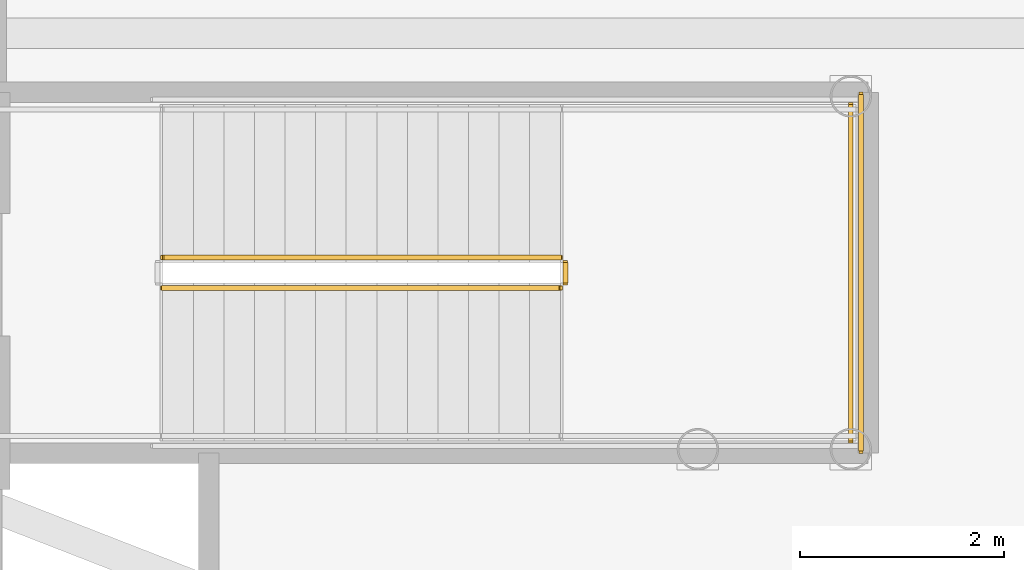
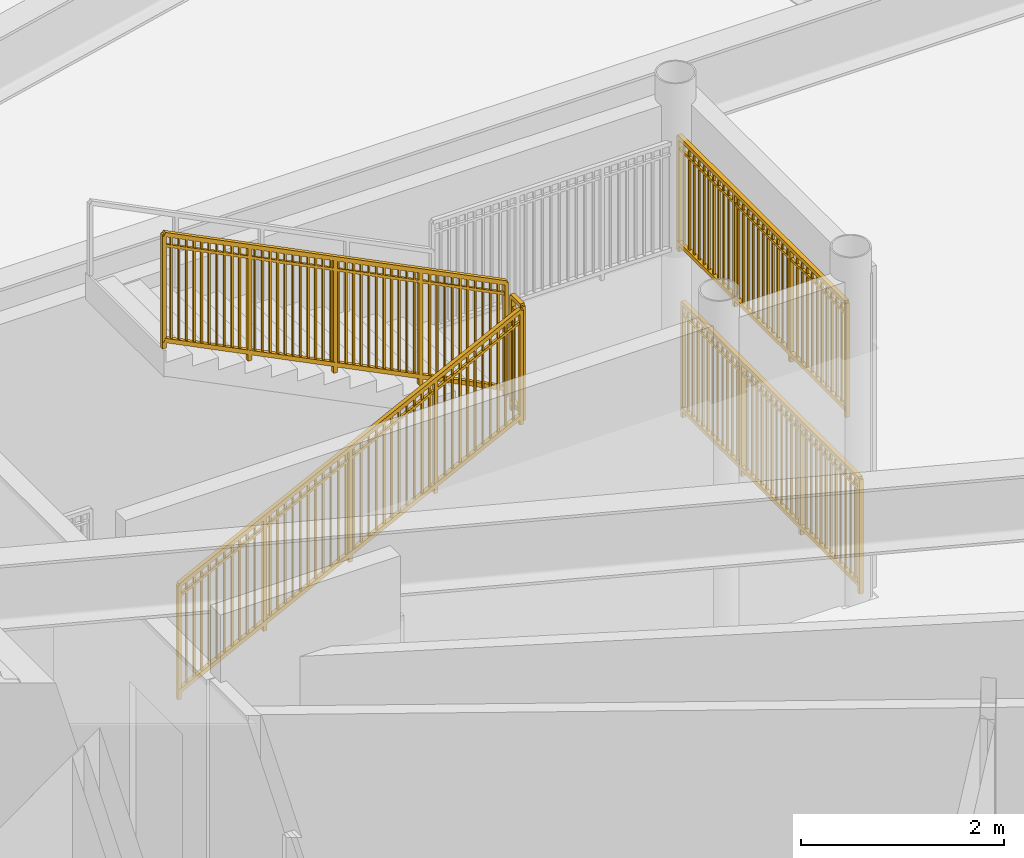
# One storey, part 26 of 27: 5 railings.
"""IFC4 building model written with IfcOpenShell, lengths in metres."""

from ifc_helpers import new_model, si_unit, direction, frame, origin, origin_2d, place, context, subcontext, project, spatial, rectangle, extrude, source, transform, mapped, material, type_object, element, save


model = new_model("IFC4")

# Units and contexts
model_context = context("Model", 3, precision=1e-05, world=origin(), true_north=direction((0.0, 1.0)))
body_context = subcontext(model_context, "Body", "Model", "MODEL_VIEW")
ifc_project = project(units=[si_unit("LENGTHUNIT", "METRE"), si_unit("AREAUNIT", "SQUARE_METRE"), si_unit("VOLUMEUNIT", "CUBIC_METRE"), si_unit("PLANEANGLEUNIT", "RADIAN"), si_unit("MASSUNIT", "GRAM", prefix="KILO")], contexts=[model_context])

# Site, building, storey
site_placement = place(None, origin())
site = spatial("IfcSite", under=ifc_project, at=site_placement, CompositionType="ELEMENT")
building_placement = place(site_placement, origin())
building = spatial("IfcBuilding", under=site, at=building_placement, Name="Linh Dai School and Residence Tower", CompositionType="ELEMENT")
storey_placement = place(building_placement, frame((0.0, 0.0, 14.39990234375)))
storey = spatial("IfcBuildingStorey", under=building, at=storey_placement, Name="L03", CompositionType="ELEMENT", Elevation=14.39990234375)

# Railings
ifc_material = material(Name="Structural Steel S355JR", Category="steel")
railing_type = type_object("IfcRailingType", Name="RL-ST-GUARD-1400", PredefinedType="GUARDRAIL", material=ifc_material)
shared_shape_1 = source(origin(), body_context, "Body", "SweptSolid", [
    extrude(rectangle(XDim=0.048095703125, YDim=0.048095703125, at=origin_2d()), frame((0.0, 0.0, 1.3759765625), z_axis=(-0.894404793364, 0.0, 0.447258387967), x_axis=(0.0, -1.0, 0.0)), (0.0, 0.0, 1.0), 4.3603515625),
    extrude(rectangle(XDim=0.048095703125, YDim=0.048095703125, at=origin_2d()), frame((0.0, 0.0, 0.10009765625), z_axis=(-0.894404793364, 0.0, 0.447258387967), x_axis=(0.0, -1.0, 0.0)), (0.0, 0.0, 1.0), 4.3603515625),
    extrude(rectangle(XDim=0.030029296875, YDim=0.030029296875, at=origin_2d()), frame((0.0, 0.0, 1.239990234375), z_axis=(-0.894404793364, 0.0, 0.447258387967), x_axis=(0.0, -1.0, 0.0)), (0.0, 0.0, 1.0), 4.3603515625),
    extrude(rectangle(XDim=0.02001953125, YDim=0.02001953125, at=origin_2d()), frame((-0.086669921875, 0.0, 0.1435546875)), (0.0, 0.0, 1.0), 1.251708984375),
    extrude(rectangle(XDim=0.02001953125, YDim=0.02001953125, at=origin_2d()), frame((-0.17333984375, 0.0, 0.186767578125)), (0.0, 0.0, 1.0), 1.251708984375),
    extrude(rectangle(XDim=0.02001953125, YDim=0.02001953125, at=origin_2d()), frame((-0.260009765625, 0.0, 0.230224609375)), (0.0, 0.0, 1.0), 1.251708984375),
    extrude(rectangle(XDim=0.02001953125, YDim=0.02001953125, at=origin_2d()), frame((-0.3466796875, 0.0, 0.2734375)), (0.0, 0.0, 1.0), 1.251708984375),
    extrude(rectangle(XDim=0.02001953125, YDim=0.02001953125, at=origin_2d()), frame((-0.433349609375, 0.0, 0.31689453125)), (0.0, 0.0, 1.0), 1.251708984375),
    extrude(rectangle(XDim=0.02001953125, YDim=0.02001953125, at=origin_2d()), frame((-0.52001953125, 0.0, 0.360107421875)), (0.0, 0.0, 1.0), 1.251708984375),
    extrude(rectangle(XDim=0.02001953125, YDim=0.02001953125, at=origin_2d()), frame((-0.606689453125, 0.0, 0.403564453125)), (0.0, 0.0, 1.0), 1.251708984375),
    extrude(rectangle(XDim=0.02001953125, YDim=0.02001953125, at=origin_2d()), frame((-0.693359375, 0.0, 0.44677734375)), (0.0, 0.0, 1.0), 1.251708984375),
    extrude(rectangle(XDim=0.02001953125, YDim=0.02001953125, at=origin_2d()), frame((-0.780029296875, 0.0, 0.490234375)), (0.0, 0.0, 1.0), 1.251708984375),
    extrude(rectangle(XDim=0.02001953125, YDim=0.02001953125, at=origin_2d()), frame((-0.86669921875, 0.0, 0.533447265625)), (0.0, 0.0, 1.0), 1.251708984375),
    extrude(rectangle(XDim=0.02001953125, YDim=0.02001953125, at=origin_2d()), frame((-1.0400390625, 0.0, 0.6201171875)), (0.0, 0.0, 1.0), 1.251708984375),
    extrude(rectangle(XDim=0.02001953125, YDim=0.02001953125, at=origin_2d()), frame((-1.126708984375, 0.0, 0.66357421875)), (0.0, 0.0, 1.0), 1.251708984375),
    extrude(rectangle(XDim=0.02001953125, YDim=0.02001953125, at=origin_2d()), frame((-1.21337890625, 0.0, 0.706787109375)), (0.0, 0.0, 1.0), 1.251708984375),
    extrude(rectangle(XDim=0.02001953125, YDim=0.02001953125, at=origin_2d()), frame((-1.300048828125, 0.0, 0.750244140625)), (0.0, 0.0, 1.0), 1.251708984375),
    extrude(rectangle(XDim=0.02001953125, YDim=0.02001953125, at=origin_2d()), frame((-1.38671875, 0.0, 0.79345703125)), (0.0, 0.0, 1.0), 1.251708984375),
    extrude(rectangle(XDim=0.02001953125, YDim=0.02001953125, at=origin_2d()), frame((-1.473388671875, 0.0, 0.8369140625)), (0.0, 0.0, 1.0), 1.251708984375),
    extrude(rectangle(XDim=0.02001953125, YDim=0.02001953125, at=origin_2d()), frame((-1.56005859375, 0.0, 0.880126953125)), (0.0, 0.0, 1.0), 1.251708984375),
    extrude(rectangle(XDim=0.02001953125, YDim=0.02001953125, at=origin_2d()), frame((-1.646728515625, 0.0, 0.923583984375)), (0.0, 0.0, 1.0), 1.251708984375),
    extrude(rectangle(XDim=0.02001953125, YDim=0.02001953125, at=origin_2d()), frame((-1.7333984375, 0.0, 0.966796875)), (0.0, 0.0, 1.0), 1.251708984375),
    extrude(rectangle(XDim=0.02001953125, YDim=0.02001953125, at=origin_2d()), frame((-1.820068359375, 0.0, 1.01025390625)), (0.0, 0.0, 1.0), 1.251708984375),
    extrude(rectangle(XDim=0.02001953125, YDim=0.02001953125, at=origin_2d()), frame((-1.90673828125, 0.0, 1.053466796875)), (0.0, 0.0, 1.0), 1.251708984375),
    extrude(rectangle(XDim=0.02001953125, YDim=0.02001953125, at=origin_2d()), frame((-1.9931640625, 0.0, 1.096923828125)), (0.0, 0.0, 1.0), 1.251708984375),
    extrude(rectangle(XDim=0.02001953125, YDim=0.02001953125, at=origin_2d()), frame((-2.079833984375, 0.0, 1.14013671875)), (0.0, 0.0, 1.0), 1.251708984375),
    extrude(rectangle(XDim=0.02001953125, YDim=0.02001953125, at=origin_2d()), frame((-2.16650390625, 0.0, 1.18359375)), (0.0, 0.0, 1.0), 1.251708984375),
    extrude(rectangle(XDim=0.02001953125, YDim=0.02001953125, at=origin_2d()), frame((-2.253173828125, 0.0, 1.226806640625)), (0.0, 0.0, 1.0), 1.251708984375),
    extrude(rectangle(XDim=0.02001953125, YDim=0.02001953125, at=origin_2d()), frame((-2.33984375, 0.0, 1.270263671875)), (0.0, 0.0, 1.0), 1.251708984375),
    extrude(rectangle(XDim=0.02001953125, YDim=0.02001953125, at=origin_2d()), frame((-2.426513671875, 0.0, 1.3134765625)), (0.0, 0.0, 1.0), 1.251708984375),
    extrude(rectangle(XDim=0.02001953125, YDim=0.02001953125, at=origin_2d()), frame((-2.51318359375, 0.0, 1.35693359375)), (0.0, 0.0, 1.0), 1.251708984375),
    extrude(rectangle(XDim=0.02001953125, YDim=0.02001953125, at=origin_2d()), frame((-2.599853515625, 0.0, 1.400146484375)), (0.0, 0.0, 1.0), 1.251708984375),
    extrude(rectangle(XDim=0.02001953125, YDim=0.02001953125, at=origin_2d()), frame((-2.6865234375, 0.0, 1.443603515625)), (0.0, 0.0, 1.0), 1.251708984375),
    extrude(rectangle(XDim=0.02001953125, YDim=0.02001953125, at=origin_2d()), frame((-2.773193359375, 0.0, 1.48681640625)), (0.0, 0.0, 1.0), 1.251708984375),
    extrude(rectangle(XDim=0.02001953125, YDim=0.02001953125, at=origin_2d()), frame((-2.85986328125, 0.0, 1.5302734375)), (0.0, 0.0, 1.0), 1.251708984375),
    extrude(rectangle(XDim=0.02001953125, YDim=0.02001953125, at=origin_2d()), frame((-3.033203125, 0.0, 1.616943359375)), (0.0, 0.0, 1.0), 1.251708984375),
    extrude(rectangle(XDim=0.02001953125, YDim=0.02001953125, at=origin_2d()), frame((-3.119873046875, 0.0, 1.66015625)), (0.0, 0.0, 1.0), 1.251708984375),
    extrude(rectangle(XDim=0.02001953125, YDim=0.02001953125, at=origin_2d()), frame((-3.20654296875, 0.0, 1.70361328125)), (0.0, 0.0, 1.0), 1.251708984375),
    extrude(rectangle(XDim=0.02001953125, YDim=0.02001953125, at=origin_2d()), frame((-3.293212890625, 0.0, 1.746826171875)), (0.0, 0.0, 1.0), 1.251708984375),
    extrude(rectangle(XDim=0.02001953125, YDim=0.02001953125, at=origin_2d()), frame((-3.3798828125, 0.0, 1.790283203125)), (0.0, 0.0, 1.0), 1.251708984375),
    extrude(rectangle(XDim=0.02001953125, YDim=0.02001953125, at=origin_2d()), frame((-3.466552734375, 0.0, 1.83349609375)), (0.0, 0.0, 1.0), 1.251708984375),
    extrude(rectangle(XDim=0.02001953125, YDim=0.02001953125, at=origin_2d()), frame((-3.55322265625, 0.0, 1.876953125)), (0.0, 0.0, 1.0), 1.251708984375),
    extrude(rectangle(XDim=0.02001953125, YDim=0.02001953125, at=origin_2d()), frame((-3.639892578125, 0.0, 1.920166015625)), (0.0, 0.0, 1.0), 1.251708984375),
    extrude(rectangle(XDim=0.02001953125, YDim=0.02001953125, at=origin_2d()), frame((-3.7265625, 0.0, 1.963623046875)), (0.0, 0.0, 1.0), 1.251708984375),
    extrude(rectangle(XDim=0.02001953125, YDim=0.02001953125, at=origin_2d()), frame((-3.813232421875, 0.0, 2.0068359375)), (0.0, 0.0, 1.0), 1.251708984375),
    extrude(rectangle(XDim=0.0419921875, YDim=0.0419921875, at=origin_2d()), origin(), (0.0, 0.0, 1.0), 1.3759765625),
    extrude(rectangle(XDim=0.0419921875, YDim=0.0419921875, at=origin_2d()), frame((-0.97509765625, 0.0, 0.487548828125)), (0.0, 0.0, 1.0), 1.3759765625),
    extrude(rectangle(XDim=0.0419921875, YDim=0.0419921875, at=origin_2d()), frame((-1.949951171875, 0.0, 0.97509765625)), (0.0, 0.0, 1.0), 1.3759765625),
    extrude(rectangle(XDim=0.0419921875, YDim=0.0419921875, at=origin_2d()), frame((-2.9248046875, 0.0, 1.462646484375)), (0.0, 0.0, 1.0), 1.3759765625),
    extrude(rectangle(XDim=0.0419921875, YDim=0.0419921875, at=origin_2d()), frame((-3.89990234375, 0.0, 1.9501953125)), (0.0, 0.0, 1.0), 1.3759765625),
])
railing_1_placement = place(storey_placement, frame((53.5, 24.800048828125, 2.25)))
element("IfcRailing", 1, at=railing_1_placement, inside=storey, type_object=railing_type, Name="L03 STS2 stair guard 6", PredefinedType="GUARDRAIL", context=body_context, shape_type="MappedRepresentation", body=[
    mapped(shared_shape_1, transform((0.0, 0.0, 0.0), x_axis=(1.0, 0.0, 0.0), y_axis=(0.0, 1.0, 0.0), z_axis=(0.0, 0.0, 1.0), scale=1.0)),
])
shared_shape_2 = source(origin(), body_context, "Body", "SweptSolid", [
    extrude(rectangle(XDim=0.048095703125, YDim=0.048095703125, at=origin_2d()), frame((0.0, 0.0, 1.3759765625), z_axis=(0.894427191, 0.0, 0.4472135955), x_axis=(0.0, 1.0, 0.0)), (0.0, 0.0, 1.0), 4.360107421875),
    extrude(rectangle(XDim=0.048095703125, YDim=0.048095703125, at=origin_2d()), frame((0.0, 0.0, 0.10009765625), z_axis=(0.894427191, 0.0, 0.4472135955), x_axis=(0.0, 1.0, 0.0)), (0.0, 0.0, 1.0), 4.360107421875),
    extrude(rectangle(XDim=0.030029296875, YDim=0.030029296875, at=origin_2d()), frame((0.0, 0.0, 1.239990234375), z_axis=(0.894427191, 0.0, 0.4472135955), x_axis=(0.0, 1.0, 0.0)), (0.0, 0.0, 1.0), 4.360107421875),
    extrude(rectangle(XDim=0.02001953125, YDim=0.02001953125, at=origin_2d()), frame((0.086669921875, 0.0, 0.143310546875)), (0.0, 0.0, 1.0), 1.251708984375),
    extrude(rectangle(XDim=0.02001953125, YDim=0.02001953125, at=origin_2d()), frame((0.17333984375, 0.0, 0.186767578125)), (0.0, 0.0, 1.0), 1.251708984375),
    extrude(rectangle(XDim=0.02001953125, YDim=0.02001953125, at=origin_2d()), frame((0.260009765625, 0.0, 0.22998046875)), (0.0, 0.0, 1.0), 1.251708984375),
    extrude(rectangle(XDim=0.02001953125, YDim=0.02001953125, at=origin_2d()), frame((0.3466796875, 0.0, 0.2734375)), (0.0, 0.0, 1.0), 1.251708984375),
    extrude(rectangle(XDim=0.02001953125, YDim=0.02001953125, at=origin_2d()), frame((0.433349609375, 0.0, 0.316650390625)), (0.0, 0.0, 1.0), 1.251708984375),
    extrude(rectangle(XDim=0.02001953125, YDim=0.02001953125, at=origin_2d()), frame((0.52001953125, 0.0, 0.360107421875)), (0.0, 0.0, 1.0), 1.251708984375),
    extrude(rectangle(XDim=0.02001953125, YDim=0.02001953125, at=origin_2d()), frame((0.606689453125, 0.0, 0.4033203125)), (0.0, 0.0, 1.0), 1.251708984375),
    extrude(rectangle(XDim=0.02001953125, YDim=0.02001953125, at=origin_2d()), frame((0.693359375, 0.0, 0.44677734375)), (0.0, 0.0, 1.0), 1.251708984375),
    extrude(rectangle(XDim=0.02001953125, YDim=0.02001953125, at=origin_2d()), frame((0.780029296875, 0.0, 0.489990234375)), (0.0, 0.0, 1.0), 1.251708984375),
    extrude(rectangle(XDim=0.02001953125, YDim=0.02001953125, at=origin_2d()), frame((0.86669921875, 0.0, 0.533447265625)), (0.0, 0.0, 1.0), 1.251708984375),
    extrude(rectangle(XDim=0.02001953125, YDim=0.02001953125, at=origin_2d()), frame((1.0400390625, 0.0, 0.6201171875)), (0.0, 0.0, 1.0), 1.251708984375),
    extrude(rectangle(XDim=0.02001953125, YDim=0.02001953125, at=origin_2d()), frame((1.126708984375, 0.0, 0.663330078125)), (0.0, 0.0, 1.0), 1.251708984375),
    extrude(rectangle(XDim=0.02001953125, YDim=0.02001953125, at=origin_2d()), frame((1.21337890625, 0.0, 0.706787109375)), (0.0, 0.0, 1.0), 1.251708984375),
    extrude(rectangle(XDim=0.02001953125, YDim=0.02001953125, at=origin_2d()), frame((1.300048828125, 0.0, 0.75)), (0.0, 0.0, 1.0), 1.251708984375),
    extrude(rectangle(XDim=0.02001953125, YDim=0.02001953125, at=origin_2d()), frame((1.38671875, 0.0, 0.79345703125)), (0.0, 0.0, 1.0), 1.251708984375),
    extrude(rectangle(XDim=0.02001953125, YDim=0.02001953125, at=origin_2d()), frame((1.473388671875, 0.0, 0.836669921875)), (0.0, 0.0, 1.0), 1.251708984375),
    extrude(rectangle(XDim=0.02001953125, YDim=0.02001953125, at=origin_2d()), frame((1.56005859375, 0.0, 0.880126953125)), (0.0, 0.0, 1.0), 1.251708984375),
    extrude(rectangle(XDim=0.02001953125, YDim=0.02001953125, at=origin_2d()), frame((1.646728515625, 0.0, 0.92333984375)), (0.0, 0.0, 1.0), 1.251708984375),
    extrude(rectangle(XDim=0.02001953125, YDim=0.02001953125, at=origin_2d()), frame((1.7333984375, 0.0, 0.966796875)), (0.0, 0.0, 1.0), 1.251708984375),
    extrude(rectangle(XDim=0.02001953125, YDim=0.02001953125, at=origin_2d()), frame((1.820068359375, 0.0, 1.010009765625)), (0.0, 0.0, 1.0), 1.251708984375),
    extrude(rectangle(XDim=0.02001953125, YDim=0.02001953125, at=origin_2d()), frame((1.90673828125, 0.0, 1.053466796875)), (0.0, 0.0, 1.0), 1.251708984375),
    extrude(rectangle(XDim=0.02001953125, YDim=0.02001953125, at=origin_2d()), frame((1.9931640625, 0.0, 1.0966796875)), (0.0, 0.0, 1.0), 1.251708984375),
    extrude(rectangle(XDim=0.02001953125, YDim=0.02001953125, at=origin_2d()), frame((2.079833984375, 0.0, 1.14013671875)), (0.0, 0.0, 1.0), 1.251708984375),
    extrude(rectangle(XDim=0.02001953125, YDim=0.02001953125, at=origin_2d()), frame((2.16650390625, 0.0, 1.183349609375)), (0.0, 0.0, 1.0), 1.251708984375),
    extrude(rectangle(XDim=0.02001953125, YDim=0.02001953125, at=origin_2d()), frame((2.253173828125, 0.0, 1.226806640625)), (0.0, 0.0, 1.0), 1.251708984375),
    extrude(rectangle(XDim=0.02001953125, YDim=0.02001953125, at=origin_2d()), frame((2.33984375, 0.0, 1.27001953125)), (0.0, 0.0, 1.0), 1.251708984375),
    extrude(rectangle(XDim=0.02001953125, YDim=0.02001953125, at=origin_2d()), frame((2.426513671875, 0.0, 1.3134765625)), (0.0, 0.0, 1.0), 1.251708984375),
    extrude(rectangle(XDim=0.02001953125, YDim=0.02001953125, at=origin_2d()), frame((2.51318359375, 0.0, 1.356689453125)), (0.0, 0.0, 1.0), 1.251708984375),
    extrude(rectangle(XDim=0.02001953125, YDim=0.02001953125, at=origin_2d()), frame((2.599853515625, 0.0, 1.400146484375)), (0.0, 0.0, 1.0), 1.251708984375),
    extrude(rectangle(XDim=0.02001953125, YDim=0.02001953125, at=origin_2d()), frame((2.6865234375, 0.0, 1.443359375)), (0.0, 0.0, 1.0), 1.251708984375),
    extrude(rectangle(XDim=0.02001953125, YDim=0.02001953125, at=origin_2d()), frame((2.773193359375, 0.0, 1.48681640625)), (0.0, 0.0, 1.0), 1.251708984375),
    extrude(rectangle(XDim=0.02001953125, YDim=0.02001953125, at=origin_2d()), frame((2.85986328125, 0.0, 1.530029296875)), (0.0, 0.0, 1.0), 1.251708984375),
    extrude(rectangle(XDim=0.02001953125, YDim=0.02001953125, at=origin_2d()), frame((3.033203125, 0.0, 1.61669921875)), (0.0, 0.0, 1.0), 1.251708984375),
    extrude(rectangle(XDim=0.02001953125, YDim=0.02001953125, at=origin_2d()), frame((3.119873046875, 0.0, 1.66015625)), (0.0, 0.0, 1.0), 1.251708984375),
    extrude(rectangle(XDim=0.02001953125, YDim=0.02001953125, at=origin_2d()), frame((3.20654296875, 0.0, 1.703369140625)), (0.0, 0.0, 1.0), 1.251708984375),
    extrude(rectangle(XDim=0.02001953125, YDim=0.02001953125, at=origin_2d()), frame((3.293212890625, 0.0, 1.746826171875)), (0.0, 0.0, 1.0), 1.251708984375),
    extrude(rectangle(XDim=0.02001953125, YDim=0.02001953125, at=origin_2d()), frame((3.3798828125, 0.0, 1.7900390625)), (0.0, 0.0, 1.0), 1.251708984375),
    extrude(rectangle(XDim=0.02001953125, YDim=0.02001953125, at=origin_2d()), frame((3.466552734375, 0.0, 1.83349609375)), (0.0, 0.0, 1.0), 1.251708984375),
    extrude(rectangle(XDim=0.02001953125, YDim=0.02001953125, at=origin_2d()), frame((3.55322265625, 0.0, 1.876708984375)), (0.0, 0.0, 1.0), 1.251708984375),
    extrude(rectangle(XDim=0.02001953125, YDim=0.02001953125, at=origin_2d()), frame((3.639892578125, 0.0, 1.920166015625)), (0.0, 0.0, 1.0), 1.251708984375),
    extrude(rectangle(XDim=0.02001953125, YDim=0.02001953125, at=origin_2d()), frame((3.7265625, 0.0, 1.96337890625)), (0.0, 0.0, 1.0), 1.251708984375),
    extrude(rectangle(XDim=0.02001953125, YDim=0.02001953125, at=origin_2d()), frame((3.813232421875, 0.0, 2.0068359375)), (0.0, 0.0, 1.0), 1.251708984375),
    extrude(rectangle(XDim=0.0419921875, YDim=0.0419921875, at=origin_2d()), origin(), (0.0, 0.0, 1.0), 1.3759765625),
    extrude(rectangle(XDim=0.0419921875, YDim=0.0419921875, at=origin_2d()), frame((0.97509765625, 0.0, 0.487548828125)), (0.0, 0.0, 1.0), 1.3759765625),
    extrude(rectangle(XDim=0.0419921875, YDim=0.0419921875, at=origin_2d()), frame((1.949951171875, 0.0, 0.97509765625)), (0.0, 0.0, 1.0), 1.3759765625),
    extrude(rectangle(XDim=0.0419921875, YDim=0.0419921875, at=origin_2d()), frame((2.9248046875, 0.0, 1.46240234375)), (0.0, 0.0, 1.0), 1.3759765625),
    extrude(rectangle(XDim=0.0419921875, YDim=0.0419921875, at=origin_2d()), frame((3.89990234375, 0.0, 1.949951171875)), (0.0, 0.0, 1.0), 1.3759765625),
])
railing_2_placement = place(storey_placement, frame((49.60009765625, 24.5, 0.150146484375)))
element("IfcRailing", 2, at=railing_2_placement, inside=storey, type_object=railing_type, Name="L03 STS2 stair guard 1", PredefinedType="GUARDRAIL", context=body_context, shape_type="MappedRepresentation", body=[
    mapped(shared_shape_2, transform((0.0, 0.0, 0.0), x_axis=(1.0, 0.0, 0.0), y_axis=(0.0, 1.0, 0.0), z_axis=(0.0, 0.0, 1.0), scale=1.0)),
])
shared_shape_3 = source(origin(), body_context, "Body", "SweptSolid", [
    extrude(rectangle(XDim=0.048095703125, YDim=0.048095703125, at=origin_2d()), frame((0.0, 0.0, 1.3759765625), z_axis=(0.0, 1.0, 0.0), x_axis=(-1.0, 0.0, 0.0)), (0.0, 0.0, 1.0), 0.199951171875),
    extrude(rectangle(XDim=0.048095703125, YDim=0.048095703125, at=origin_2d()), frame((0.0, 0.0, 0.10009765625), z_axis=(0.0, 1.0, 0.0), x_axis=(-1.0, 0.0, 0.0)), (0.0, 0.0, 1.0), 0.199951171875),
    extrude(rectangle(XDim=0.030029296875, YDim=0.030029296875, at=origin_2d()), frame((0.0, 0.0, 1.239990234375), z_axis=(0.0, 1.0, 0.0), x_axis=(-1.0, 0.0, 0.0)), (0.0, 0.0, 1.0), 0.199951171875),
    extrude(rectangle(XDim=0.0419921875, YDim=0.0419921875, at=origin_2d()), origin(), (0.0, 0.0, 1.0), 1.3759765625),
    extrude(rectangle(XDim=0.0419921875, YDim=0.0419921875, at=origin_2d()), frame((0.0, 0.199951171875, 0.0)), (0.0, 0.0, 1.0), 1.3759765625),
])
railing_3_placement = place(storey_placement, frame((53.550048828125, 24.550048828125, 2.10009765625)))
element("IfcRailing", 3, at=railing_3_placement, inside=storey, type_object=railing_type, Name="L03 STS2 stair guard 2", PredefinedType="GUARDRAIL", context=body_context, shape_type="MappedRepresentation", body=[
    mapped(shared_shape_3, transform((0.0, 0.0, 0.0), x_axis=(1.0, 0.0, 0.0), y_axis=(0.0, 1.0, 0.0), z_axis=(0.0, 0.0, 1.0), scale=1.0)),
])
shared_shape_4 = source(origin(), body_context, "Body", "SweptSolid", [
    extrude(rectangle(XDim=0.048095703125, YDim=0.048095703125, at=origin_2d()), frame((0.0, 0.0, 1.3759765625), z_axis=(0.0, 1.0, 0.0), x_axis=(-1.0, 0.0, 0.0)), (0.0, 0.0, 1.0), 3.300048828125),
    extrude(rectangle(XDim=0.048095703125, YDim=0.048095703125, at=origin_2d()), frame((0.0, 0.0, 0.10009765625), z_axis=(0.0, 1.0, 0.0), x_axis=(-1.0, 0.0, 0.0)), (0.0, 0.0, 1.0), 3.300048828125),
    extrude(rectangle(XDim=0.030029296875, YDim=0.030029296875, at=origin_2d()), frame((0.0, 0.0, 1.239990234375), z_axis=(0.0, 1.0, 0.0), x_axis=(-1.0, 0.0, 0.0)), (0.0, 0.0, 1.0), 3.300048828125),
    extrude(rectangle(XDim=0.02001953125, YDim=0.02001953125, at=origin_2d()), frame((0.0, 0.09716796875, 0.10009765625)), (0.0, 0.0, 1.0), 1.251708984375),
    extrude(rectangle(XDim=0.02001953125, YDim=0.02001953125, at=origin_2d()), frame((0.0, 0.194091796875, 0.10009765625)), (0.0, 0.0, 1.0), 1.251708984375),
    extrude(rectangle(XDim=0.02001953125, YDim=0.02001953125, at=origin_2d()), frame((0.0, 0.291259765625, 0.10009765625)), (0.0, 0.0, 1.0), 1.251708984375),
    extrude(rectangle(XDim=0.02001953125, YDim=0.02001953125, at=origin_2d()), frame((0.0, 0.38818359375, 0.10009765625)), (0.0, 0.0, 1.0), 1.251708984375),
    extrude(rectangle(XDim=0.02001953125, YDim=0.02001953125, at=origin_2d()), frame((0.0, 0.4853515625, 0.10009765625)), (0.0, 0.0, 1.0), 1.251708984375),
    extrude(rectangle(XDim=0.02001953125, YDim=0.02001953125, at=origin_2d()), frame((0.0, 0.582275390625, 0.10009765625)), (0.0, 0.0, 1.0), 1.251708984375),
    extrude(rectangle(XDim=0.02001953125, YDim=0.02001953125, at=origin_2d()), frame((0.0, 0.679443359375, 0.10009765625)), (0.0, 0.0, 1.0), 1.251708984375),
    extrude(rectangle(XDim=0.02001953125, YDim=0.02001953125, at=origin_2d()), frame((0.0, 0.7763671875, 0.10009765625)), (0.0, 0.0, 1.0), 1.251708984375),
    extrude(rectangle(XDim=0.02001953125, YDim=0.02001953125, at=origin_2d()), frame((0.0, 0.87353515625, 0.10009765625)), (0.0, 0.0, 1.0), 1.251708984375),
    extrude(rectangle(XDim=0.02001953125, YDim=0.02001953125, at=origin_2d()), frame((0.0, 0.970703125, 0.10009765625)), (0.0, 0.0, 1.0), 1.251708984375),
    extrude(rectangle(XDim=0.02001953125, YDim=0.02001953125, at=origin_2d()), frame((0.0, 1.164794921875, 0.10009765625)), (0.0, 0.0, 1.0), 1.251708984375),
    extrude(rectangle(XDim=0.02001953125, YDim=0.02001953125, at=origin_2d()), frame((0.0, 1.26171875, 0.10009765625)), (0.0, 0.0, 1.0), 1.251708984375),
    extrude(rectangle(XDim=0.02001953125, YDim=0.02001953125, at=origin_2d()), frame((0.0, 1.35888671875, 0.10009765625)), (0.0, 0.0, 1.0), 1.251708984375),
    extrude(rectangle(XDim=0.02001953125, YDim=0.02001953125, at=origin_2d()), frame((0.0, 1.455810546875, 0.10009765625)), (0.0, 0.0, 1.0), 1.251708984375),
    extrude(rectangle(XDim=0.02001953125, YDim=0.02001953125, at=origin_2d()), frame((0.0, 1.552978515625, 0.10009765625)), (0.0, 0.0, 1.0), 1.251708984375),
    extrude(rectangle(XDim=0.02001953125, YDim=0.02001953125, at=origin_2d()), frame((0.0, 1.64990234375, 0.10009765625)), (0.0, 0.0, 1.0), 1.251708984375),
    extrude(rectangle(XDim=0.02001953125, YDim=0.02001953125, at=origin_2d()), frame((0.0, 1.7470703125, 0.10009765625)), (0.0, 0.0, 1.0), 1.251708984375),
    extrude(rectangle(XDim=0.02001953125, YDim=0.02001953125, at=origin_2d()), frame((0.0, 1.84423828125, 0.10009765625)), (0.0, 0.0, 1.0), 1.251708984375),
    extrude(rectangle(XDim=0.02001953125, YDim=0.02001953125, at=origin_2d()), frame((0.0, 1.941162109375, 0.10009765625)), (0.0, 0.0, 1.0), 1.251708984375),
    extrude(rectangle(XDim=0.02001953125, YDim=0.02001953125, at=origin_2d()), frame((0.0, 2.038330078125, 0.10009765625)), (0.0, 0.0, 1.0), 1.251708984375),
    extrude(rectangle(XDim=0.02001953125, YDim=0.02001953125, at=origin_2d()), frame((0.0, 2.13525390625, 0.10009765625)), (0.0, 0.0, 1.0), 1.251708984375),
    extrude(rectangle(XDim=0.02001953125, YDim=0.02001953125, at=origin_2d()), frame((0.0, 2.329345703125, 0.10009765625)), (0.0, 0.0, 1.0), 1.251708984375),
    extrude(rectangle(XDim=0.02001953125, YDim=0.02001953125, at=origin_2d()), frame((0.0, 2.426513671875, 0.10009765625)), (0.0, 0.0, 1.0), 1.251708984375),
    extrude(rectangle(XDim=0.02001953125, YDim=0.02001953125, at=origin_2d()), frame((0.0, 2.523681640625, 0.10009765625)), (0.0, 0.0, 1.0), 1.251708984375),
    extrude(rectangle(XDim=0.02001953125, YDim=0.02001953125, at=origin_2d()), frame((0.0, 2.62060546875, 0.10009765625)), (0.0, 0.0, 1.0), 1.251708984375),
    extrude(rectangle(XDim=0.02001953125, YDim=0.02001953125, at=origin_2d()), frame((0.0, 2.7177734375, 0.10009765625)), (0.0, 0.0, 1.0), 1.251708984375),
    extrude(rectangle(XDim=0.02001953125, YDim=0.02001953125, at=origin_2d()), frame((0.0, 2.814697265625, 0.10009765625)), (0.0, 0.0, 1.0), 1.251708984375),
    extrude(rectangle(XDim=0.02001953125, YDim=0.02001953125, at=origin_2d()), frame((0.0, 2.911865234375, 0.10009765625)), (0.0, 0.0, 1.0), 1.251708984375),
    extrude(rectangle(XDim=0.02001953125, YDim=0.02001953125, at=origin_2d()), frame((0.0, 3.0087890625, 0.10009765625)), (0.0, 0.0, 1.0), 1.251708984375),
    extrude(rectangle(XDim=0.02001953125, YDim=0.02001953125, at=origin_2d()), frame((0.0, 3.10595703125, 0.10009765625)), (0.0, 0.0, 1.0), 1.251708984375),
    extrude(rectangle(XDim=0.02001953125, YDim=0.02001953125, at=origin_2d()), frame((0.0, 3.202880859375, 0.10009765625)), (0.0, 0.0, 1.0), 1.251708984375),
    extrude(rectangle(XDim=0.0419921875, YDim=0.0419921875, at=origin_2d()), origin(), (0.0, 0.0, 1.0), 1.3759765625),
    extrude(rectangle(XDim=0.0419921875, YDim=0.0419921875, at=origin_2d()), frame((0.0, 1.10009765625, 0.0)), (0.0, 0.0, 1.0), 1.3759765625),
    extrude(rectangle(XDim=0.0419921875, YDim=0.0419921875, at=origin_2d()), frame((0.0, 2.199951171875, 0.0)), (0.0, 0.0, 1.0), 1.3759765625),
    extrude(rectangle(XDim=0.0419921875, YDim=0.0419921875, at=origin_2d()), frame((0.0, 3.300048828125, 0.0)), (0.0, 0.0, 1.0), 1.3759765625),
])
railing_4_placement = place(storey_placement, frame((56.35009765625, 23.0, 2.10009765625)))
element("IfcRailing", 4, at=railing_4_placement, inside=storey, type_object=railing_type, Name="L03 STS2 stair guard 5", PredefinedType="GUARDRAIL", context=body_context, shape_type="MappedRepresentation", body=[
    mapped(shared_shape_4, transform((0.0, 0.0, 0.0), x_axis=(1.0, 0.0, 0.0), y_axis=(0.0, 1.0, 0.0), z_axis=(0.0, 0.0, 1.0), scale=1.0)),
])
shared_shape_5 = source(origin(), body_context, "Body", "SweptSolid", [
    extrude(rectangle(XDim=0.048095703125, YDim=0.048095703125, at=origin_2d()), frame((0.0, 0.0, 1.3759765625), z_axis=(0.0, 1.0, 0.0), x_axis=(-1.0, 0.0, 0.0)), (0.0, 0.0, 1.0), 3.5),
    extrude(rectangle(XDim=0.048095703125, YDim=0.048095703125, at=origin_2d()), frame((0.0, 0.0, 0.10009765625), z_axis=(0.0, 1.0, 0.0), x_axis=(-1.0, 0.0, 0.0)), (0.0, 0.0, 1.0), 3.5),
    extrude(rectangle(XDim=0.030029296875, YDim=0.030029296875, at=origin_2d()), frame((0.0, 0.0, 1.239990234375), z_axis=(0.0, 1.0, 0.0), x_axis=(-1.0, 0.0, 0.0)), (0.0, 0.0, 1.0), 3.5),
    extrude(rectangle(XDim=0.02001953125, YDim=0.02001953125, at=origin_2d()), frame((0.0, 0.09716796875, 0.10009765625)), (0.0, 0.0, 1.0), 1.251708984375),
    extrude(rectangle(XDim=0.02001953125, YDim=0.02001953125, at=origin_2d()), frame((0.0, 0.1943359375, 0.10009765625)), (0.0, 0.0, 1.0), 1.251708984375),
    extrude(rectangle(XDim=0.02001953125, YDim=0.02001953125, at=origin_2d()), frame((0.0, 0.291748046875, 0.10009765625)), (0.0, 0.0, 1.0), 1.251708984375),
    extrude(rectangle(XDim=0.02001953125, YDim=0.02001953125, at=origin_2d()), frame((0.0, 0.388916015625, 0.10009765625)), (0.0, 0.0, 1.0), 1.251708984375),
    extrude(rectangle(XDim=0.02001953125, YDim=0.02001953125, at=origin_2d()), frame((0.0, 0.486083984375, 0.10009765625)), (0.0, 0.0, 1.0), 1.251708984375),
    extrude(rectangle(XDim=0.02001953125, YDim=0.02001953125, at=origin_2d()), frame((0.0, 0.583251953125, 0.10009765625)), (0.0, 0.0, 1.0), 1.251708984375),
    extrude(rectangle(XDim=0.02001953125, YDim=0.02001953125, at=origin_2d()), frame((0.0, 0.6806640625, 0.10009765625)), (0.0, 0.0, 1.0), 1.251708984375),
    extrude(rectangle(XDim=0.02001953125, YDim=0.02001953125, at=origin_2d()), frame((0.0, 0.77783203125, 0.10009765625)), (0.0, 0.0, 1.0), 1.251708984375),
    extrude(rectangle(XDim=0.02001953125, YDim=0.02001953125, at=origin_2d()), frame((0.0, 0.875, 0.10009765625)), (0.0, 0.0, 1.0), 1.251708984375),
    extrude(rectangle(XDim=0.02001953125, YDim=0.02001953125, at=origin_2d()), frame((0.0, 0.97216796875, 0.10009765625)), (0.0, 0.0, 1.0), 1.251708984375),
    extrude(rectangle(XDim=0.02001953125, YDim=0.02001953125, at=origin_2d()), frame((0.0, 1.0693359375, 0.10009765625)), (0.0, 0.0, 1.0), 1.251708984375),
    extrude(rectangle(XDim=0.02001953125, YDim=0.02001953125, at=origin_2d()), frame((0.0, 1.263916015625, 0.10009765625)), (0.0, 0.0, 1.0), 1.251708984375),
    extrude(rectangle(XDim=0.02001953125, YDim=0.02001953125, at=origin_2d()), frame((0.0, 1.361083984375, 0.10009765625)), (0.0, 0.0, 1.0), 1.251708984375),
    extrude(rectangle(XDim=0.02001953125, YDim=0.02001953125, at=origin_2d()), frame((0.0, 1.458251953125, 0.10009765625)), (0.0, 0.0, 1.0), 1.251708984375),
    extrude(rectangle(XDim=0.02001953125, YDim=0.02001953125, at=origin_2d()), frame((0.0, 1.5556640625, 0.10009765625)), (0.0, 0.0, 1.0), 1.251708984375),
    extrude(rectangle(XDim=0.02001953125, YDim=0.02001953125, at=origin_2d()), frame((0.0, 1.65283203125, 0.10009765625)), (0.0, 0.0, 1.0), 1.251708984375),
    extrude(rectangle(XDim=0.02001953125, YDim=0.02001953125, at=origin_2d()), frame((0.0, 1.75, 0.10009765625)), (0.0, 0.0, 1.0), 1.251708984375),
    extrude(rectangle(XDim=0.02001953125, YDim=0.02001953125, at=origin_2d()), frame((0.0, 1.84716796875, 0.10009765625)), (0.0, 0.0, 1.0), 1.251708984375),
    extrude(rectangle(XDim=0.02001953125, YDim=0.02001953125, at=origin_2d()), frame((0.0, 1.9443359375, 0.10009765625)), (0.0, 0.0, 1.0), 1.251708984375),
    extrude(rectangle(XDim=0.02001953125, YDim=0.02001953125, at=origin_2d()), frame((0.0, 2.041748046875, 0.10009765625)), (0.0, 0.0, 1.0), 1.251708984375),
    extrude(rectangle(XDim=0.02001953125, YDim=0.02001953125, at=origin_2d()), frame((0.0, 2.138916015625, 0.10009765625)), (0.0, 0.0, 1.0), 1.251708984375),
    extrude(rectangle(XDim=0.02001953125, YDim=0.02001953125, at=origin_2d()), frame((0.0, 2.236083984375, 0.10009765625)), (0.0, 0.0, 1.0), 1.251708984375),
    extrude(rectangle(XDim=0.02001953125, YDim=0.02001953125, at=origin_2d()), frame((0.0, 2.4306640625, 0.10009765625)), (0.0, 0.0, 1.0), 1.251708984375),
    extrude(rectangle(XDim=0.02001953125, YDim=0.02001953125, at=origin_2d()), frame((0.0, 2.52783203125, 0.10009765625)), (0.0, 0.0, 1.0), 1.251708984375),
    extrude(rectangle(XDim=0.02001953125, YDim=0.02001953125, at=origin_2d()), frame((0.0, 2.625, 0.10009765625)), (0.0, 0.0, 1.0), 1.251708984375),
    extrude(rectangle(XDim=0.02001953125, YDim=0.02001953125, at=origin_2d()), frame((0.0, 2.72216796875, 0.10009765625)), (0.0, 0.0, 1.0), 1.251708984375),
    extrude(rectangle(XDim=0.02001953125, YDim=0.02001953125, at=origin_2d()), frame((0.0, 2.8193359375, 0.10009765625)), (0.0, 0.0, 1.0), 1.251708984375),
    extrude(rectangle(XDim=0.02001953125, YDim=0.02001953125, at=origin_2d()), frame((0.0, 2.916748046875, 0.10009765625)), (0.0, 0.0, 1.0), 1.251708984375),
    extrude(rectangle(XDim=0.02001953125, YDim=0.02001953125, at=origin_2d()), frame((0.0, 3.013916015625, 0.10009765625)), (0.0, 0.0, 1.0), 1.251708984375),
    extrude(rectangle(XDim=0.02001953125, YDim=0.02001953125, at=origin_2d()), frame((0.0, 3.111083984375, 0.10009765625)), (0.0, 0.0, 1.0), 1.251708984375),
    extrude(rectangle(XDim=0.02001953125, YDim=0.02001953125, at=origin_2d()), frame((0.0, 3.208251953125, 0.10009765625)), (0.0, 0.0, 1.0), 1.251708984375),
    extrude(rectangle(XDim=0.02001953125, YDim=0.02001953125, at=origin_2d()), frame((0.0, 3.3056640625, 0.10009765625)), (0.0, 0.0, 1.0), 1.251708984375),
    extrude(rectangle(XDim=0.02001953125, YDim=0.02001953125, at=origin_2d()), frame((0.0, 3.40283203125, 0.10009765625)), (0.0, 0.0, 1.0), 1.251708984375),
    extrude(rectangle(XDim=0.0419921875, YDim=0.0419921875, at=origin_2d()), origin(), (0.0, 0.0, 1.0), 1.3759765625),
    extrude(rectangle(XDim=0.0419921875, YDim=0.0419921875, at=origin_2d()), frame((0.0, 1.166748046875, 0.0)), (0.0, 0.0, 1.0), 1.3759765625),
    extrude(rectangle(XDim=0.0419921875, YDim=0.0419921875, at=origin_2d()), frame((0.0, 2.333251953125, 0.0)), (0.0, 0.0, 1.0), 1.3759765625),
    extrude(rectangle(XDim=0.0419921875, YDim=0.0419921875, at=origin_2d()), frame((0.0, 3.5, 0.0)), (0.0, 0.0, 1.0), 1.3759765625),
])
railing_5_placement = place(storey_placement, frame((56.449951171875, 22.89990234375, 0.0)))
element("IfcRailing", 5, at=railing_5_placement, inside=storey, type_object=railing_type, Name="L03 STS2 stair guard 12", PredefinedType="GUARDRAIL", context=body_context, shape_type="MappedRepresentation", body=[
    mapped(shared_shape_5, transform((0.0, 0.0, 0.0), x_axis=(1.0, 0.0, 0.0), y_axis=(0.0, 1.0, 0.0), z_axis=(0.0, 0.0, 1.0), scale=1.0)),
])

save(model, "model.ifc")
